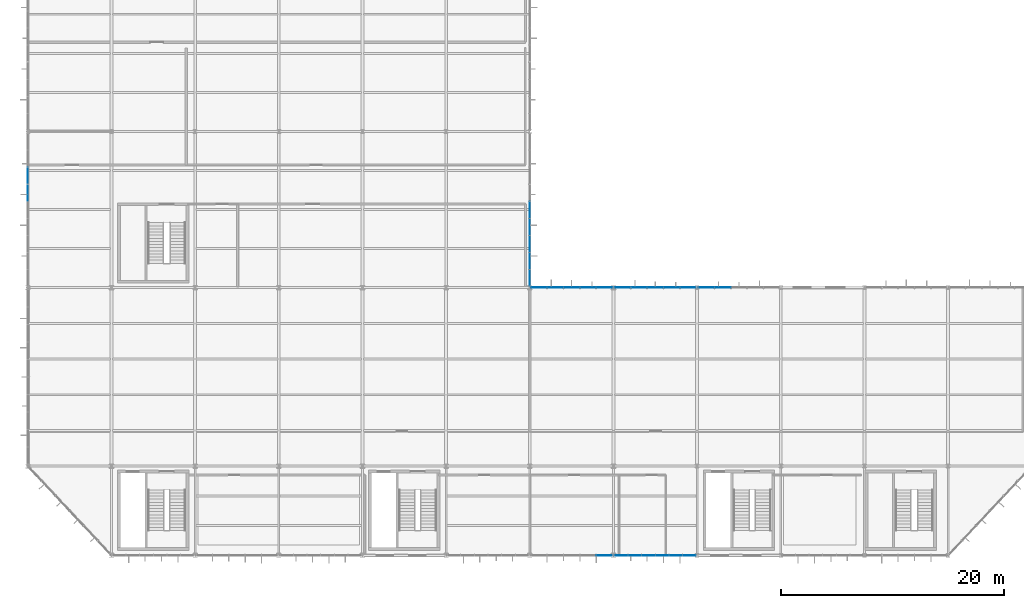
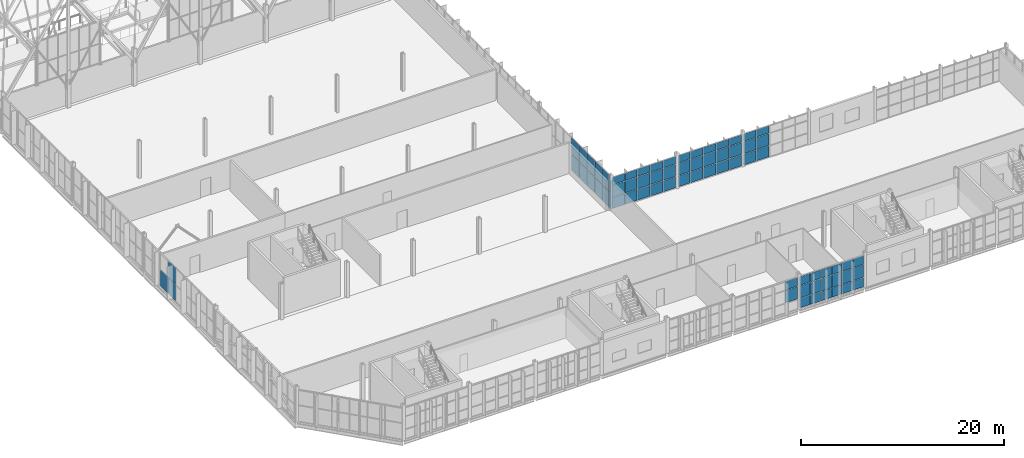
# One storey, part 267 of 324: 69 plates, 7 elements without a shape of their own.
"""IFC4 building model written with IfcOpenShell, lengths in metres."""

from ifc_helpers import new_model, si_unit, direction, frame, origin, origin_2d, place, context, subcontext, project, spatial, rectangle, extrude, material, layer, layer_set, type_object, element, aggregate, save


model = new_model("IFC4")

# Units and contexts
model_context = context("Model", 3, precision=1e-05, world=origin(), true_north=direction((0.0, 1.0)))
body_context = subcontext(model_context, "Body", "Model", "MODEL_VIEW")
ifc_project = project(units=[si_unit("LENGTHUNIT", "METRE"), si_unit("AREAUNIT", "SQUARE_METRE"), si_unit("VOLUMEUNIT", "CUBIC_METRE"), si_unit("PLANEANGLEUNIT", "RADIAN"), si_unit("MASSUNIT", "GRAM", prefix="KILO")], contexts=[model_context])

# Site, building, storey
site_placement = place(None, origin())
site = spatial("IfcSite", under=ifc_project, at=site_placement, CompositionType="ELEMENT")
building_placement = place(site_placement, origin())
building = spatial("IfcBuilding", under=site, at=building_placement, Name="Solvenia Promenade Tram Depot", CompositionType="ELEMENT")
storey_placement = place(building_placement, frame((0.0, 0.0, 4.5)))
storey = spatial("IfcBuildingStorey", under=building, at=storey_placement, Name="L01", CompositionType="ELEMENT", Elevation=4.5)

# Curtain wall, plates
ifc_material_1 = material(Name="Anodized aluminium AW-6063 T6", Category="aluminium")
ifc_layer_1 = layer(ifc_material_1, 0.1201171875, Name="Anodized aluminium AW-6063 T6", Category="aluminium")
ifc_layer_set_1 = layer_set([ifc_layer_1], Name="Anodized aluminium AW-6063 T6")
curtain_wall_type_1 = type_object("IfcCurtainWallType", Name="CW-Wash-1500", PredefinedType="NOTDEFINED", material=ifc_layer_set_1)
curtain_wall_1_placement = place(storey_placement, origin())
curtain_wall_1 = element("IfcCurtainWall", 1, at=curtain_wall_1_placement, inside=storey, type_object=curtain_wall_type_1, Name="Curtain Wall CW-V3-W-L1-1", PredefinedType="NOTDEFINED")
ifc_material_2 = material(Name="Low-iron translucent U-profile channel glass", Category="glass")
ifc_layer_2 = layer(ifc_material_2, 0.028076171875, Name="Low-iron translucent U-profile channel glass", Category="glass")
ifc_layer_set_2 = layer_set([ifc_layer_2], Name="Low-iron translucent U-profile channel glass")
plate_type_1 = type_object("IfcPlateType", Name="CWP-Panel-1", PredefinedType="CURTAIN_PANEL", material=ifc_layer_set_2)
plate_1_placement = place(storey_placement, frame((0.0, 32.501220703125, 0.06005859375), z_axis=(0.0, 0.0, 1.0), x_axis=(0.0, 1.0, 0.0)))
plate_1 = element("IfcPlate", 2, at=plate_1_placement, type_object=plate_type_1, Name="CW-10 panel 6.1", PredefinedType="CURTAIN_PANEL", context=body_context, shape_type="SweptSolid", body=[
    extrude(rectangle(XDim=1.47900390625, YDim=0.028076171875, at=origin_2d()), origin(), (0.0, 0.0, 1.0), 1.909912109375),
])
plate_2_placement = place(storey_placement, frame((0.0, 32.501220703125, 2.030029296875), z_axis=(0.0, 0.0, 1.0), x_axis=(0.0, 1.0, 0.0)))
plate_2 = element("IfcPlate", 3, at=plate_2_placement, type_object=plate_type_1, Name="CW-10 panel 6.2", PredefinedType="CURTAIN_PANEL", context=body_context, shape_type="SweptSolid", body=[
    extrude(rectangle(XDim=1.47900390625, YDim=0.028076171875, at=origin_2d()), origin(), (0.0, 0.0, 1.0), 1.9599609375),
])
plate_3_placement = place(storey_placement, frame((0.0, 34.0322265625, 0.06005859375), z_axis=(0.0, 0.0, 1.0), x_axis=(0.0, 1.0, 0.0)))
plate_3 = element("IfcPlate", 4, at=plate_3_placement, type_object=plate_type_1, Name="CW-10 panel 7.1", PredefinedType="CURTAIN_PANEL", context=body_context, shape_type="SweptSolid", body=[
    extrude(rectangle(XDim=1.47900390625, YDim=0.028076171875, at=origin_2d()), origin(), (0.0, 0.0, 1.0), 1.909912109375),
])
aggregate(curtain_wall_1, [plate_1, plate_2, plate_3])

curtain_wall_2_placement = place(storey_placement, origin())
curtain_wall_2 = element("IfcCurtainWall", 5, at=curtain_wall_2_placement, inside=storey, type_object=curtain_wall_type_1, Name="Curtain Wall CW-V3-E-L1-1", PredefinedType="NOTDEFINED")
plate_4_placement = place(storey_placement, frame((45.0, 24.858642578125, 0.06005859375), z_axis=(0.0, 0.0, 1.0), x_axis=(0.0, 1.0, 0.0)))
plate_4 = element("IfcPlate", 6, at=plate_4_placement, type_object=plate_type_1, Name="CW-10 panel 1.1", PredefinedType="CURTAIN_PANEL", context=body_context, shape_type="SweptSolid", body=[
    extrude(rectangle(XDim=1.453125, YDim=0.028076171875, at=origin_2d()), origin(), (0.0, 0.0, 1.0), 1.909912109375),
])
plate_5_placement = place(storey_placement, frame((45.0, 24.858642578125, 2.030029296875), z_axis=(0.0, 0.0, 1.0), x_axis=(0.0, 1.0, 0.0)))
plate_5 = element("IfcPlate", 7, at=plate_5_placement, type_object=plate_type_1, Name="CW-10 panel 1.2", PredefinedType="CURTAIN_PANEL", context=body_context, shape_type="SweptSolid", body=[
    extrude(rectangle(XDim=1.453125, YDim=0.028076171875, at=origin_2d()), origin(), (0.0, 0.0, 1.0), 1.9599609375),
])
plate_6_placement = place(storey_placement, frame((45.0, 26.376708984375, 0.06005859375), z_axis=(0.0, 0.0, 1.0), x_axis=(0.0, 1.0, 0.0)))
plate_6 = element("IfcPlate", 8, at=plate_6_placement, type_object=plate_type_1, Name="CW-10 panel 2.1", PredefinedType="CURTAIN_PANEL", context=body_context, shape_type="SweptSolid", body=[
    extrude(rectangle(XDim=1.47900390625, YDim=0.028076171875, at=origin_2d()), origin(), (0.0, 0.0, 1.0), 1.909912109375),
])
plate_7_placement = place(storey_placement, frame((45.0, 26.376708984375, 2.030029296875), z_axis=(0.0, 0.0, 1.0), x_axis=(0.0, 1.0, 0.0)))
plate_7 = element("IfcPlate", 9, at=plate_7_placement, type_object=plate_type_1, Name="CW-10 panel 2.2", PredefinedType="CURTAIN_PANEL", context=body_context, shape_type="SweptSolid", body=[
    extrude(rectangle(XDim=1.47900390625, YDim=0.028076171875, at=origin_2d()), origin(), (0.0, 0.0, 1.0), 1.9599609375),
])
plate_8_placement = place(storey_placement, frame((45.0, 27.90771484375, 0.06005859375), z_axis=(0.0, 0.0, 1.0), x_axis=(0.0, 1.0, 0.0)))
plate_8 = element("IfcPlate", 10, at=plate_8_placement, type_object=plate_type_1, Name="CW-10 panel 3.1", PredefinedType="CURTAIN_PANEL", context=body_context, shape_type="SweptSolid", body=[
    extrude(rectangle(XDim=1.47900390625, YDim=0.028076171875, at=origin_2d()), origin(), (0.0, 0.0, 1.0), 1.909912109375),
])
plate_9_placement = place(storey_placement, frame((45.0, 27.90771484375, 2.030029296875), z_axis=(0.0, 0.0, 1.0), x_axis=(0.0, 1.0, 0.0)))
plate_9 = element("IfcPlate", 11, at=plate_9_placement, type_object=plate_type_1, Name="CW-10 panel 3.2", PredefinedType="CURTAIN_PANEL", context=body_context, shape_type="SweptSolid", body=[
    extrude(rectangle(XDim=1.47900390625, YDim=0.028076171875, at=origin_2d()), origin(), (0.0, 0.0, 1.0), 1.9599609375),
])
plate_10_placement = place(storey_placement, frame((45.0, 29.43896484375, 0.06005859375), z_axis=(0.0, 0.0, 1.0), x_axis=(0.0, 1.0, 0.0)))
plate_10 = element("IfcPlate", 12, at=plate_10_placement, type_object=plate_type_1, Name="CW-10 panel 4.1", PredefinedType="CURTAIN_PANEL", context=body_context, shape_type="SweptSolid", body=[
    extrude(rectangle(XDim=1.47900390625, YDim=0.028076171875, at=origin_2d()), origin(), (0.0, 0.0, 1.0), 1.909912109375),
])
plate_11_placement = place(storey_placement, frame((45.0, 29.43896484375, 2.030029296875), z_axis=(0.0, 0.0, 1.0), x_axis=(0.0, 1.0, 0.0)))
plate_11 = element("IfcPlate", 13, at=plate_11_placement, type_object=plate_type_1, Name="CW-10 panel 4.2", PredefinedType="CURTAIN_PANEL", context=body_context, shape_type="SweptSolid", body=[
    extrude(rectangle(XDim=1.47900390625, YDim=0.028076171875, at=origin_2d()), origin(), (0.0, 0.0, 1.0), 1.9599609375),
])
plate_12_placement = place(storey_placement, frame((45.0, 30.969970703125, 0.06005859375), z_axis=(0.0, 0.0, 1.0), x_axis=(0.0, 1.0, 0.0)))
plate_12 = element("IfcPlate", 14, at=plate_12_placement, type_object=plate_type_1, Name="CW-10 panel 5.1", PredefinedType="CURTAIN_PANEL", context=body_context, shape_type="SweptSolid", body=[
    extrude(rectangle(XDim=1.47900390625, YDim=0.028076171875, at=origin_2d()), origin(), (0.0, 0.0, 1.0), 1.909912109375),
])
plate_13_placement = place(storey_placement, frame((45.0, 30.969970703125, 2.030029296875), z_axis=(0.0, 0.0, 1.0), x_axis=(0.0, 1.0, 0.0)))
plate_13 = element("IfcPlate", 15, at=plate_13_placement, type_object=plate_type_1, Name="CW-10 panel 5.2", PredefinedType="CURTAIN_PANEL", context=body_context, shape_type="SweptSolid", body=[
    extrude(rectangle(XDim=1.47900390625, YDim=0.028076171875, at=origin_2d()), origin(), (0.0, 0.0, 1.0), 1.9599609375),
])
aggregate(curtain_wall_2, [plate_4, plate_5, plate_6, plate_7, plate_8, plate_9, plate_10, plate_11, plate_12, plate_13])

ifc_layer_3 = layer(ifc_material_1, 0.14990234375, Name="Anodized aluminium AW-6063 T6", Category="aluminium")
ifc_layer_set_3 = layer_set([ifc_layer_3], Name="Anodized aluminium AW-6063 T6")
curtain_wall_type_2 = type_object("IfcCurtainWallType", Name="CW-Court-1500", PredefinedType="NOTDEFINED", material=ifc_layer_set_3)
curtain_wall_3_placement = place(storey_placement, origin())
curtain_wall_3 = element("IfcCurtainWall", 16, at=curtain_wall_3_placement, inside=storey, type_object=curtain_wall_type_2, Name="Curtain Wall CW-V4N-L01-07", PredefinedType="NOTDEFINED")
ifc_material_3 = material(Name="Double low-e argon insulated glass", Category="glass")
ifc_layer_4 = layer(ifc_material_3, 0.031982421875, Name="Double low-e argon insulated glass", Category="glass")
ifc_layer_set_4 = layer_set([ifc_layer_4], Name="Double low-e argon insulated glass")
plate_type_2 = type_object("IfcPlateType", Name="CWP-Panel-2", PredefinedType="CURTAIN_PANEL", material=ifc_layer_set_4)
plate_14_placement = place(storey_placement, frame((45.826416015625, 24.0, 0.06494140625), z_axis=(0.0, 0.0, 1.0), x_axis=(1.0, 0.0, 0.0)))
plate_14 = element("IfcPlate", 17, at=plate_14_placement, type_object=plate_type_2, Name="CW-5 panel 1.1", PredefinedType="CURTAIN_PANEL", context=body_context, shape_type="SweptSolid", body=[
    extrude(rectangle(XDim=1.39306640625, YDim=0.031982421875, at=origin_2d()), origin(), (0.0, 0.0, 1.0), 1.302490234375),
])
plate_15_placement = place(storey_placement, frame((45.826416015625, 24.0, 1.432373046875), z_axis=(0.0, 0.0, 1.0), x_axis=(1.0, 0.0, 0.0)))
plate_15 = element("IfcPlate", 18, at=plate_15_placement, type_object=plate_type_2, Name="CW-5 panel 1.2", PredefinedType="CURTAIN_PANEL", context=body_context, shape_type="SweptSolid", body=[
    extrude(rectangle(XDim=1.39306640625, YDim=0.031982421875, at=origin_2d()), origin(), (0.0, 0.0, 1.0), 1.43505859375),
])
plate_16_placement = place(storey_placement, frame((45.826416015625, 24.0, 2.932373046875), z_axis=(0.0, 0.0, 1.0), x_axis=(1.0, 0.0, 0.0)))
plate_16 = element("IfcPlate", 19, at=plate_16_placement, type_object=plate_type_2, Name="CW-5 panel 1.3", PredefinedType="CURTAIN_PANEL", context=body_context, shape_type="SweptSolid", body=[
    extrude(rectangle(XDim=1.39306640625, YDim=0.031982421875, at=origin_2d()), origin(), (0.0, 0.0, 1.0), 0.8525390625),
])
plate_17_placement = place(storey_placement, frame((47.281982421875, 24.0, 0.06494140625), z_axis=(0.0, 0.0, 1.0), x_axis=(1.0, 0.0, 0.0)))
plate_17 = element("IfcPlate", 20, at=plate_17_placement, type_object=plate_type_2, Name="CW-5 panel 2.1", PredefinedType="CURTAIN_PANEL", context=body_context, shape_type="SweptSolid", body=[
    extrude(rectangle(XDim=1.41796875, YDim=0.031982421875, at=origin_2d()), origin(), (0.0, 0.0, 1.0), 1.302490234375),
])
plate_18_placement = place(storey_placement, frame((47.281982421875, 24.0, 1.432373046875), z_axis=(0.0, 0.0, 1.0), x_axis=(1.0, 0.0, 0.0)))
plate_18 = element("IfcPlate", 21, at=plate_18_placement, type_object=plate_type_2, Name="CW-5 panel 2.2", PredefinedType="CURTAIN_PANEL", context=body_context, shape_type="SweptSolid", body=[
    extrude(rectangle(XDim=1.41796875, YDim=0.031982421875, at=origin_2d()), origin(), (0.0, 0.0, 1.0), 1.43505859375),
])
plate_19_placement = place(storey_placement, frame((47.281982421875, 24.0, 2.932373046875), z_axis=(0.0, 0.0, 1.0), x_axis=(1.0, 0.0, 0.0)))
plate_19 = element("IfcPlate", 22, at=plate_19_placement, type_object=plate_type_2, Name="CW-5 panel 2.3", PredefinedType="CURTAIN_PANEL", context=body_context, shape_type="SweptSolid", body=[
    extrude(rectangle(XDim=1.41796875, YDim=0.031982421875, at=origin_2d()), origin(), (0.0, 0.0, 1.0), 0.8525390625),
])
plate_20_placement = place(storey_placement, frame((48.75, 24.0, 0.06494140625), z_axis=(0.0, 0.0, 1.0), x_axis=(1.0, 0.0, 0.0)))
plate_20 = element("IfcPlate", 23, at=plate_20_placement, type_object=plate_type_2, Name="CW-5 panel 3.1", PredefinedType="CURTAIN_PANEL", context=body_context, shape_type="SweptSolid", body=[
    extrude(rectangle(XDim=1.41796875, YDim=0.031982421875, at=origin_2d()), origin(), (0.0, 0.0, 1.0), 1.302490234375),
])
plate_21_placement = place(storey_placement, frame((48.75, 24.0, 1.432373046875), z_axis=(0.0, 0.0, 1.0), x_axis=(1.0, 0.0, 0.0)))
plate_21 = element("IfcPlate", 24, at=plate_21_placement, type_object=plate_type_2, Name="CW-5 panel 3.2", PredefinedType="CURTAIN_PANEL", context=body_context, shape_type="SweptSolid", body=[
    extrude(rectangle(XDim=1.41796875, YDim=0.031982421875, at=origin_2d()), origin(), (0.0, 0.0, 1.0), 1.43505859375),
])
plate_22_placement = place(storey_placement, frame((48.75, 24.0, 2.932373046875), z_axis=(0.0, 0.0, 1.0), x_axis=(1.0, 0.0, 0.0)))
plate_22 = element("IfcPlate", 25, at=plate_22_placement, type_object=plate_type_2, Name="CW-5 panel 3.3", PredefinedType="CURTAIN_PANEL", context=body_context, shape_type="SweptSolid", body=[
    extrude(rectangle(XDim=1.41796875, YDim=0.031982421875, at=origin_2d()), origin(), (0.0, 0.0, 1.0), 0.8525390625),
])
plate_23_placement = place(storey_placement, frame((50.218017578125, 24.0, 0.06494140625), z_axis=(0.0, 0.0, 1.0), x_axis=(1.0, 0.0, 0.0)))
plate_23 = element("IfcPlate", 26, at=plate_23_placement, type_object=plate_type_2, Name="CW-5 panel 4.1", PredefinedType="CURTAIN_PANEL", context=body_context, shape_type="SweptSolid", body=[
    extrude(rectangle(XDim=1.41796875, YDim=0.031982421875, at=origin_2d()), origin(), (0.0, 0.0, 1.0), 1.302490234375),
])
plate_24_placement = place(storey_placement, frame((50.218017578125, 24.0, 1.432373046875), z_axis=(0.0, 0.0, 1.0), x_axis=(1.0, 0.0, 0.0)))
plate_24 = element("IfcPlate", 27, at=plate_24_placement, type_object=plate_type_2, Name="CW-5 panel 4.2", PredefinedType="CURTAIN_PANEL", context=body_context, shape_type="SweptSolid", body=[
    extrude(rectangle(XDim=1.41796875, YDim=0.031982421875, at=origin_2d()), origin(), (0.0, 0.0, 1.0), 1.43505859375),
])
plate_25_placement = place(storey_placement, frame((50.218017578125, 24.0, 2.932373046875), z_axis=(0.0, 0.0, 1.0), x_axis=(1.0, 0.0, 0.0)))
plate_25 = element("IfcPlate", 28, at=plate_25_placement, type_object=plate_type_2, Name="CW-5 panel 4.3", PredefinedType="CURTAIN_PANEL", context=body_context, shape_type="SweptSolid", body=[
    extrude(rectangle(XDim=1.41796875, YDim=0.031982421875, at=origin_2d()), origin(), (0.0, 0.0, 1.0), 0.8525390625),
])
plate_26_placement = place(storey_placement, frame((51.673583984375, 24.0, 0.06494140625), z_axis=(0.0, 0.0, 1.0), x_axis=(1.0, 0.0, 0.0)))
plate_26 = element("IfcPlate", 29, at=plate_26_placement, type_object=plate_type_2, Name="CW-5 panel 5.1", PredefinedType="CURTAIN_PANEL", context=body_context, shape_type="SweptSolid", body=[
    extrude(rectangle(XDim=1.39306640625, YDim=0.031982421875, at=origin_2d()), origin(), (0.0, 0.0, 1.0), 1.302490234375),
])
plate_27_placement = place(storey_placement, frame((51.673583984375, 24.0, 1.432373046875), z_axis=(0.0, 0.0, 1.0), x_axis=(1.0, 0.0, 0.0)))
plate_27 = element("IfcPlate", 30, at=plate_27_placement, type_object=plate_type_2, Name="CW-5 panel 5.2", PredefinedType="CURTAIN_PANEL", context=body_context, shape_type="SweptSolid", body=[
    extrude(rectangle(XDim=1.39306640625, YDim=0.031982421875, at=origin_2d()), origin(), (0.0, 0.0, 1.0), 1.43505859375),
])
plate_28_placement = place(storey_placement, frame((51.673583984375, 24.0, 2.932373046875), z_axis=(0.0, 0.0, 1.0), x_axis=(1.0, 0.0, 0.0)))
plate_28 = element("IfcPlate", 31, at=plate_28_placement, type_object=plate_type_2, Name="CW-5 panel 5.3", PredefinedType="CURTAIN_PANEL", context=body_context, shape_type="SweptSolid", body=[
    extrude(rectangle(XDim=1.39306640625, YDim=0.031982421875, at=origin_2d()), origin(), (0.0, 0.0, 1.0), 0.8525390625),
])
aggregate(curtain_wall_3, [plate_14, plate_15, plate_16, plate_17, plate_18, plate_19, plate_20, plate_21, plate_22, plate_23, plate_24, plate_25, plate_26, plate_27, plate_28])

curtain_wall_4_placement = place(storey_placement, origin())
curtain_wall_4 = element("IfcCurtainWall", 32, at=curtain_wall_4_placement, inside=storey, type_object=curtain_wall_type_2, Name="Curtain Wall CW-V4N-L01-08", PredefinedType="NOTDEFINED")
plate_29_placement = place(storey_placement, frame((53.326416015625, 24.0, 0.06494140625), z_axis=(0.0, 0.0, 1.0), x_axis=(1.0, 0.0, 0.0)))
plate_29 = element("IfcPlate", 33, at=plate_29_placement, type_object=plate_type_2, Name="CW-5 panel 1.1", PredefinedType="CURTAIN_PANEL", context=body_context, shape_type="SweptSolid", body=[
    extrude(rectangle(XDim=1.39306640625, YDim=0.031982421875, at=origin_2d()), origin(), (0.0, 0.0, 1.0), 1.302490234375),
])
plate_30_placement = place(storey_placement, frame((53.326416015625, 24.0, 1.432373046875), z_axis=(0.0, 0.0, 1.0), x_axis=(1.0, 0.0, 0.0)))
plate_30 = element("IfcPlate", 34, at=plate_30_placement, type_object=plate_type_2, Name="CW-5 panel 1.2", PredefinedType="CURTAIN_PANEL", context=body_context, shape_type="SweptSolid", body=[
    extrude(rectangle(XDim=1.39306640625, YDim=0.031982421875, at=origin_2d()), origin(), (0.0, 0.0, 1.0), 1.43505859375),
])
plate_31_placement = place(storey_placement, frame((53.326416015625, 24.0, 2.932373046875), z_axis=(0.0, 0.0, 1.0), x_axis=(1.0, 0.0, 0.0)))
plate_31 = element("IfcPlate", 35, at=plate_31_placement, type_object=plate_type_2, Name="CW-5 panel 1.3", PredefinedType="CURTAIN_PANEL", context=body_context, shape_type="SweptSolid", body=[
    extrude(rectangle(XDim=1.39306640625, YDim=0.031982421875, at=origin_2d()), origin(), (0.0, 0.0, 1.0), 0.8525390625),
])
plate_32_placement = place(storey_placement, frame((54.781982421875, 24.0, 0.06494140625), z_axis=(0.0, 0.0, 1.0), x_axis=(1.0, 0.0, 0.0)))
plate_32 = element("IfcPlate", 36, at=plate_32_placement, type_object=plate_type_2, Name="CW-5 panel 2.1", PredefinedType="CURTAIN_PANEL", context=body_context, shape_type="SweptSolid", body=[
    extrude(rectangle(XDim=1.41796875, YDim=0.031982421875, at=origin_2d()), origin(), (0.0, 0.0, 1.0), 1.302490234375),
])
plate_33_placement = place(storey_placement, frame((54.781982421875, 24.0, 1.432373046875), z_axis=(0.0, 0.0, 1.0), x_axis=(1.0, 0.0, 0.0)))
plate_33 = element("IfcPlate", 37, at=plate_33_placement, type_object=plate_type_2, Name="CW-5 panel 2.2", PredefinedType="CURTAIN_PANEL", context=body_context, shape_type="SweptSolid", body=[
    extrude(rectangle(XDim=1.41796875, YDim=0.031982421875, at=origin_2d()), origin(), (0.0, 0.0, 1.0), 1.43505859375),
])
plate_34_placement = place(storey_placement, frame((54.781982421875, 24.0, 2.932373046875), z_axis=(0.0, 0.0, 1.0), x_axis=(1.0, 0.0, 0.0)))
plate_34 = element("IfcPlate", 38, at=plate_34_placement, type_object=plate_type_2, Name="CW-5 panel 2.3", PredefinedType="CURTAIN_PANEL", context=body_context, shape_type="SweptSolid", body=[
    extrude(rectangle(XDim=1.41796875, YDim=0.031982421875, at=origin_2d()), origin(), (0.0, 0.0, 1.0), 0.8525390625),
])
plate_35_placement = place(storey_placement, frame((56.25, 24.0, 0.06494140625), z_axis=(0.0, 0.0, 1.0), x_axis=(1.0, 0.0, 0.0)))
plate_35 = element("IfcPlate", 39, at=plate_35_placement, type_object=plate_type_2, Name="CW-5 panel 3.1", PredefinedType="CURTAIN_PANEL", context=body_context, shape_type="SweptSolid", body=[
    extrude(rectangle(XDim=1.41796875, YDim=0.031982421875, at=origin_2d()), origin(), (0.0, 0.0, 1.0), 1.302490234375),
])
plate_36_placement = place(storey_placement, frame((56.25, 24.0, 1.432373046875), z_axis=(0.0, 0.0, 1.0), x_axis=(1.0, 0.0, 0.0)))
plate_36 = element("IfcPlate", 40, at=plate_36_placement, type_object=plate_type_2, Name="CW-5 panel 3.2", PredefinedType="CURTAIN_PANEL", context=body_context, shape_type="SweptSolid", body=[
    extrude(rectangle(XDim=1.41796875, YDim=0.031982421875, at=origin_2d()), origin(), (0.0, 0.0, 1.0), 1.43505859375),
])
plate_37_placement = place(storey_placement, frame((56.25, 24.0, 2.932373046875), z_axis=(0.0, 0.0, 1.0), x_axis=(1.0, 0.0, 0.0)))
plate_37 = element("IfcPlate", 41, at=plate_37_placement, type_object=plate_type_2, Name="CW-5 panel 3.3", PredefinedType="CURTAIN_PANEL", context=body_context, shape_type="SweptSolid", body=[
    extrude(rectangle(XDim=1.41796875, YDim=0.031982421875, at=origin_2d()), origin(), (0.0, 0.0, 1.0), 0.8525390625),
])
plate_38_placement = place(storey_placement, frame((57.718017578125, 24.0, 0.06494140625), z_axis=(0.0, 0.0, 1.0), x_axis=(1.0, 0.0, 0.0)))
plate_38 = element("IfcPlate", 42, at=plate_38_placement, type_object=plate_type_2, Name="CW-5 panel 4.1", PredefinedType="CURTAIN_PANEL", context=body_context, shape_type="SweptSolid", body=[
    extrude(rectangle(XDim=1.41796875, YDim=0.031982421875, at=origin_2d()), origin(), (0.0, 0.0, 1.0), 1.302490234375),
])
plate_39_placement = place(storey_placement, frame((57.718017578125, 24.0, 1.432373046875), z_axis=(0.0, 0.0, 1.0), x_axis=(1.0, 0.0, 0.0)))
plate_39 = element("IfcPlate", 43, at=plate_39_placement, type_object=plate_type_2, Name="CW-5 panel 4.2", PredefinedType="CURTAIN_PANEL", context=body_context, shape_type="SweptSolid", body=[
    extrude(rectangle(XDim=1.41796875, YDim=0.031982421875, at=origin_2d()), origin(), (0.0, 0.0, 1.0), 1.43505859375),
])
plate_40_placement = place(storey_placement, frame((57.718017578125, 24.0, 2.932373046875), z_axis=(0.0, 0.0, 1.0), x_axis=(1.0, 0.0, 0.0)))
plate_40 = element("IfcPlate", 44, at=plate_40_placement, type_object=plate_type_2, Name="CW-5 panel 4.3", PredefinedType="CURTAIN_PANEL", context=body_context, shape_type="SweptSolid", body=[
    extrude(rectangle(XDim=1.41796875, YDim=0.031982421875, at=origin_2d()), origin(), (0.0, 0.0, 1.0), 0.8525390625),
])
plate_41_placement = place(storey_placement, frame((59.173583984375, 24.0, 0.06494140625), z_axis=(0.0, 0.0, 1.0), x_axis=(1.0, 0.0, 0.0)))
plate_41 = element("IfcPlate", 45, at=plate_41_placement, type_object=plate_type_2, Name="CW-5 panel 5.1", PredefinedType="CURTAIN_PANEL", context=body_context, shape_type="SweptSolid", body=[
    extrude(rectangle(XDim=1.39306640625, YDim=0.031982421875, at=origin_2d()), origin(), (0.0, 0.0, 1.0), 1.302490234375),
])
plate_42_placement = place(storey_placement, frame((59.173583984375, 24.0, 1.432373046875), z_axis=(0.0, 0.0, 1.0), x_axis=(1.0, 0.0, 0.0)))
plate_42 = element("IfcPlate", 46, at=plate_42_placement, type_object=plate_type_2, Name="CW-5 panel 5.2", PredefinedType="CURTAIN_PANEL", context=body_context, shape_type="SweptSolid", body=[
    extrude(rectangle(XDim=1.39306640625, YDim=0.031982421875, at=origin_2d()), origin(), (0.0, 0.0, 1.0), 1.43505859375),
])
plate_43_placement = place(storey_placement, frame((59.173583984375, 24.0, 2.932373046875), z_axis=(0.0, 0.0, 1.0), x_axis=(1.0, 0.0, 0.0)))
plate_43 = element("IfcPlate", 47, at=plate_43_placement, type_object=plate_type_2, Name="CW-5 panel 5.3", PredefinedType="CURTAIN_PANEL", context=body_context, shape_type="SweptSolid", body=[
    extrude(rectangle(XDim=1.39306640625, YDim=0.031982421875, at=origin_2d()), origin(), (0.0, 0.0, 1.0), 0.8525390625),
])
aggregate(curtain_wall_4, [plate_29, plate_30, plate_31, plate_32, plate_33, plate_34, plate_35, plate_36, plate_37, plate_38, plate_39, plate_40, plate_41, plate_42, plate_43])

curtain_wall_5_placement = place(storey_placement, origin())
curtain_wall_5 = element("IfcCurtainWall", 48, at=curtain_wall_5_placement, inside=storey, type_object=curtain_wall_type_2, Name="Curtain Wall CW-V4N-L01-09", PredefinedType="NOTDEFINED")
plate_44_placement = place(storey_placement, frame((60.826416015625, 24.0, 0.06494140625), z_axis=(0.0, 0.0, 1.0), x_axis=(1.0, 0.0, 0.0)))
plate_44 = element("IfcPlate", 49, at=plate_44_placement, type_object=plate_type_2, Name="CW-5 panel 1.1", PredefinedType="CURTAIN_PANEL", context=body_context, shape_type="SweptSolid", body=[
    extrude(rectangle(XDim=1.39306640625, YDim=0.031982421875, at=origin_2d()), origin(), (0.0, 0.0, 1.0), 1.302490234375),
])
plate_45_placement = place(storey_placement, frame((60.826416015625, 24.0, 1.432373046875), z_axis=(0.0, 0.0, 1.0), x_axis=(1.0, 0.0, 0.0)))
plate_45 = element("IfcPlate", 50, at=plate_45_placement, type_object=plate_type_2, Name="CW-5 panel 1.2", PredefinedType="CURTAIN_PANEL", context=body_context, shape_type="SweptSolid", body=[
    extrude(rectangle(XDim=1.39306640625, YDim=0.031982421875, at=origin_2d()), origin(), (0.0, 0.0, 1.0), 1.43505859375),
])
plate_46_placement = place(storey_placement, frame((60.826416015625, 24.0, 2.932373046875), z_axis=(0.0, 0.0, 1.0), x_axis=(1.0, 0.0, 0.0)))
plate_46 = element("IfcPlate", 51, at=plate_46_placement, type_object=plate_type_2, Name="CW-5 panel 1.3", PredefinedType="CURTAIN_PANEL", context=body_context, shape_type="SweptSolid", body=[
    extrude(rectangle(XDim=1.39306640625, YDim=0.031982421875, at=origin_2d()), origin(), (0.0, 0.0, 1.0), 0.8525390625),
])
plate_47_placement = place(storey_placement, frame((62.281982421875, 24.0, 0.06494140625), z_axis=(0.0, 0.0, 1.0), x_axis=(1.0, 0.0, 0.0)))
plate_47 = element("IfcPlate", 52, at=plate_47_placement, type_object=plate_type_2, Name="CW-5 panel 2.1", PredefinedType="CURTAIN_PANEL", context=body_context, shape_type="SweptSolid", body=[
    extrude(rectangle(XDim=1.41796875, YDim=0.031982421875, at=origin_2d()), origin(), (0.0, 0.0, 1.0), 1.302490234375),
])
plate_48_placement = place(storey_placement, frame((62.281982421875, 24.0, 1.432373046875), z_axis=(0.0, 0.0, 1.0), x_axis=(1.0, 0.0, 0.0)))
plate_48 = element("IfcPlate", 53, at=plate_48_placement, type_object=plate_type_2, Name="CW-5 panel 2.2", PredefinedType="CURTAIN_PANEL", context=body_context, shape_type="SweptSolid", body=[
    extrude(rectangle(XDim=1.41796875, YDim=0.031982421875, at=origin_2d()), origin(), (0.0, 0.0, 1.0), 1.43505859375),
])
plate_49_placement = place(storey_placement, frame((62.281982421875, 24.0, 2.932373046875), z_axis=(0.0, 0.0, 1.0), x_axis=(1.0, 0.0, 0.0)))
plate_49 = element("IfcPlate", 54, at=plate_49_placement, type_object=plate_type_2, Name="CW-5 panel 2.3", PredefinedType="CURTAIN_PANEL", context=body_context, shape_type="SweptSolid", body=[
    extrude(rectangle(XDim=1.41796875, YDim=0.031982421875, at=origin_2d()), origin(), (0.0, 0.0, 1.0), 0.8525390625),
])
aggregate(curtain_wall_5, [plate_44, plate_45, plate_46, plate_47, plate_48, plate_49])

ifc_layer_5 = layer(ifc_material_1, 0.179931640625, Name="Anodized aluminium AW-6063 T6", Category="aluminium")
ifc_layer_set_5 = layer_set([ifc_layer_5], Name="Anodized aluminium AW-6063 T6")
curtain_wall_type_3 = type_object("IfcCurtainWallType", Name="CW-Solar-1500", PredefinedType="NOTDEFINED", material=ifc_layer_set_5)
curtain_wall_6_placement = place(storey_placement, origin())
curtain_wall_6 = element("IfcCurtainWall", 55, at=curtain_wall_6_placement, inside=storey, type_object=curtain_wall_type_3, Name="Curtain Wall CW-V4S-L01-06", PredefinedType="NOTDEFINED")
ifc_layer_6 = layer(ifc_material_3, 0.035888671875, Name="Double low-e argon insulated glass", Category="glass")
ifc_layer_set_6 = layer_set([ifc_layer_6], Name="Double low-e argon insulated glass")
plate_type_3 = type_object("IfcPlateType", Name="CWP-Panel-3", PredefinedType="CURTAIN_PANEL", material=ifc_layer_set_6)
plate_50_placement = place(storey_placement, frame((51.674072265625, 0.0, 1.22900390625), z_axis=(0.0, 0.0, 1.0), x_axis=(1.0, 0.0, 0.0)))
plate_50 = element("IfcPlate", 56, at=plate_50_placement, type_object=plate_type_3, Name="CW-7 panel 5.2", PredefinedType="CURTAIN_PANEL", context=body_context, shape_type="SweptSolid", body=[
    extrude(rectangle(XDim=1.39599609375, YDim=0.035888671875, at=origin_2d()), origin(), (0.0, 0.0, 1.0), 1.491943359375),
])
plate_51_placement = place(storey_placement, frame((51.674072265625, 0.0, 2.77880859375), z_axis=(0.0, 0.0, 1.0), x_axis=(1.0, 0.0, 0.0)))
plate_51 = element("IfcPlate", 57, at=plate_51_placement, type_object=plate_type_3, Name="CW-7 panel 5.3", PredefinedType="CURTAIN_PANEL", context=body_context, shape_type="SweptSolid", body=[
    extrude(rectangle(XDim=1.39599609375, YDim=0.035888671875, at=origin_2d()), origin(), (0.0, 0.0, 1.0), 1.012939453125),
])
aggregate(curtain_wall_6, [plate_50, plate_51])

ifc_layer_7 = layer(ifc_material_1, 0.179931640625, Name="Anodized aluminium AW-6063 T6", Category="aluminium")
ifc_layer_set_7 = layer_set([ifc_layer_7], Name="Anodized aluminium AW-6063 T6")
curtain_wall_type_4 = type_object("IfcCurtainWallType", Name="CW-Solar-1250", PredefinedType="NOTDEFINED", material=ifc_layer_set_7)
curtain_wall_7_placement = place(storey_placement, origin())
curtain_wall_7 = element("IfcCurtainWall", 58, at=curtain_wall_7_placement, inside=storey, type_object=curtain_wall_type_4, Name="Curtain Wall CW-V4S-L01-07", PredefinedType="NOTDEFINED")
plate_52_placement = place(storey_placement, frame((53.20361328125, 0.0, 0.05810546875), z_axis=(0.0, 0.0, 1.0), x_axis=(1.0, 0.0, 0.0)))
plate_52 = element("IfcPlate", 59, at=plate_52_placement, type_object=plate_type_3, Name="CW-6 panel 1.1", PredefinedType="CURTAIN_PANEL", context=body_context, shape_type="SweptSolid", body=[
    extrude(rectangle(XDim=1.1513671875, YDim=0.035888671875, at=origin_2d()), origin(), (0.0, 0.0, 1.0), 1.113037109375),
])
plate_53_placement = place(storey_placement, frame((53.20361328125, 0.0, 1.22900390625), z_axis=(0.0, 0.0, 1.0), x_axis=(1.0, 0.0, 0.0)))
plate_53 = element("IfcPlate", 60, at=plate_53_placement, type_object=plate_type_3, Name="CW-6 panel 1.2", PredefinedType="CURTAIN_PANEL", context=body_context, shape_type="SweptSolid", body=[
    extrude(rectangle(XDim=1.1513671875, YDim=0.035888671875, at=origin_2d()), origin(), (0.0, 0.0, 1.0), 1.491943359375),
])
plate_54_placement = place(storey_placement, frame((53.20361328125, 0.0, 2.77880859375), z_axis=(0.0, 0.0, 1.0), x_axis=(1.0, 0.0, 0.0)))
plate_54 = element("IfcPlate", 61, at=plate_54_placement, type_object=plate_type_3, Name="CW-6 panel 1.3", PredefinedType="CURTAIN_PANEL", context=body_context, shape_type="SweptSolid", body=[
    extrude(rectangle(XDim=1.1513671875, YDim=0.035888671875, at=origin_2d()), origin(), (0.0, 0.0, 1.0), 1.012939453125),
])
plate_55_placement = place(storey_placement, frame((54.4150390625, 0.0, 0.05810546875), z_axis=(0.0, 0.0, 1.0), x_axis=(1.0, 0.0, 0.0)))
plate_55 = element("IfcPlate", 62, at=plate_55_placement, type_object=plate_type_3, Name="CW-6 panel 2.1", PredefinedType="CURTAIN_PANEL", context=body_context, shape_type="SweptSolid", body=[
    extrude(rectangle(XDim=1.17529296875, YDim=0.035888671875, at=origin_2d()), origin(), (0.0, 0.0, 1.0), 1.113037109375),
])
plate_56_placement = place(storey_placement, frame((54.4150390625, 0.0, 1.22900390625), z_axis=(0.0, 0.0, 1.0), x_axis=(1.0, 0.0, 0.0)))
plate_56 = element("IfcPlate", 63, at=plate_56_placement, type_object=plate_type_3, Name="CW-6 panel 2.2", PredefinedType="CURTAIN_PANEL", context=body_context, shape_type="SweptSolid", body=[
    extrude(rectangle(XDim=1.17529296875, YDim=0.035888671875, at=origin_2d()), origin(), (0.0, 0.0, 1.0), 1.491943359375),
])
plate_57_placement = place(storey_placement, frame((54.4150390625, 0.0, 2.77880859375), z_axis=(0.0, 0.0, 1.0), x_axis=(1.0, 0.0, 0.0)))
plate_57 = element("IfcPlate", 64, at=plate_57_placement, type_object=plate_type_3, Name="CW-6 panel 2.3", PredefinedType="CURTAIN_PANEL", context=body_context, shape_type="SweptSolid", body=[
    extrude(rectangle(XDim=1.17529296875, YDim=0.035888671875, at=origin_2d()), origin(), (0.0, 0.0, 1.0), 1.012939453125),
])
plate_58_placement = place(storey_placement, frame((55.638427734375, 0.0, 0.05810546875), z_axis=(0.0, 0.0, 1.0), x_axis=(1.0, 0.0, 0.0)))
plate_58 = element("IfcPlate", 65, at=plate_58_placement, type_object=plate_type_3, Name="CW-6 panel 3.1", PredefinedType="CURTAIN_PANEL", context=body_context, shape_type="SweptSolid", body=[
    extrude(rectangle(XDim=1.17529296875, YDim=0.035888671875, at=origin_2d()), origin(), (0.0, 0.0, 1.0), 1.113037109375),
])
plate_59_placement = place(storey_placement, frame((55.638427734375, 0.0, 1.22900390625), z_axis=(0.0, 0.0, 1.0), x_axis=(1.0, 0.0, 0.0)))
plate_59 = element("IfcPlate", 66, at=plate_59_placement, type_object=plate_type_3, Name="CW-6 panel 3.2", PredefinedType="CURTAIN_PANEL", context=body_context, shape_type="SweptSolid", body=[
    extrude(rectangle(XDim=1.17529296875, YDim=0.035888671875, at=origin_2d()), origin(), (0.0, 0.0, 1.0), 1.491943359375),
])
plate_60_placement = place(storey_placement, frame((55.638427734375, 0.0, 2.77880859375), z_axis=(0.0, 0.0, 1.0), x_axis=(1.0, 0.0, 0.0)))
plate_60 = element("IfcPlate", 67, at=plate_60_placement, type_object=plate_type_3, Name="CW-6 panel 3.3", PredefinedType="CURTAIN_PANEL", context=body_context, shape_type="SweptSolid", body=[
    extrude(rectangle(XDim=1.17529296875, YDim=0.035888671875, at=origin_2d()), origin(), (0.0, 0.0, 1.0), 1.012939453125),
])
plate_61_placement = place(storey_placement, frame((56.861572265625, 0.0, 0.05810546875), z_axis=(0.0, 0.0, 1.0), x_axis=(1.0, 0.0, 0.0)))
plate_61 = element("IfcPlate", 68, at=plate_61_placement, type_object=plate_type_3, Name="CW-6 panel 4.1", PredefinedType="CURTAIN_PANEL", context=body_context, shape_type="SweptSolid", body=[
    extrude(rectangle(XDim=1.17529296875, YDim=0.035888671875, at=origin_2d()), origin(), (0.0, 0.0, 1.0), 1.113037109375),
])
plate_62_placement = place(storey_placement, frame((56.861572265625, 0.0, 1.22900390625), z_axis=(0.0, 0.0, 1.0), x_axis=(1.0, 0.0, 0.0)))
plate_62 = element("IfcPlate", 69, at=plate_62_placement, type_object=plate_type_3, Name="CW-6 panel 4.2", PredefinedType="CURTAIN_PANEL", context=body_context, shape_type="SweptSolid", body=[
    extrude(rectangle(XDim=1.17529296875, YDim=0.035888671875, at=origin_2d()), origin(), (0.0, 0.0, 1.0), 1.491943359375),
])
plate_63_placement = place(storey_placement, frame((56.861572265625, 0.0, 2.77880859375), z_axis=(0.0, 0.0, 1.0), x_axis=(1.0, 0.0, 0.0)))
plate_63 = element("IfcPlate", 70, at=plate_63_placement, type_object=plate_type_3, Name="CW-6 panel 4.3", PredefinedType="CURTAIN_PANEL", context=body_context, shape_type="SweptSolid", body=[
    extrude(rectangle(XDim=1.17529296875, YDim=0.035888671875, at=origin_2d()), origin(), (0.0, 0.0, 1.0), 1.012939453125),
])
plate_64_placement = place(storey_placement, frame((58.0849609375, 0.0, 0.05810546875), z_axis=(0.0, 0.0, 1.0), x_axis=(1.0, 0.0, 0.0)))
plate_64 = element("IfcPlate", 71, at=plate_64_placement, type_object=plate_type_3, Name="CW-6 panel 5.1", PredefinedType="CURTAIN_PANEL", context=body_context, shape_type="SweptSolid", body=[
    extrude(rectangle(XDim=1.17529296875, YDim=0.035888671875, at=origin_2d()), origin(), (0.0, 0.0, 1.0), 1.113037109375),
])
plate_65_placement = place(storey_placement, frame((58.0849609375, 0.0, 1.22900390625), z_axis=(0.0, 0.0, 1.0), x_axis=(1.0, 0.0, 0.0)))
plate_65 = element("IfcPlate", 72, at=plate_65_placement, type_object=plate_type_3, Name="CW-6 panel 5.2", PredefinedType="CURTAIN_PANEL", context=body_context, shape_type="SweptSolid", body=[
    extrude(rectangle(XDim=1.17529296875, YDim=0.035888671875, at=origin_2d()), origin(), (0.0, 0.0, 1.0), 1.491943359375),
])
plate_66_placement = place(storey_placement, frame((58.0849609375, 0.0, 2.77880859375), z_axis=(0.0, 0.0, 1.0), x_axis=(1.0, 0.0, 0.0)))
plate_66 = element("IfcPlate", 73, at=plate_66_placement, type_object=plate_type_3, Name="CW-6 panel 5.3", PredefinedType="CURTAIN_PANEL", context=body_context, shape_type="SweptSolid", body=[
    extrude(rectangle(XDim=1.17529296875, YDim=0.035888671875, at=origin_2d()), origin(), (0.0, 0.0, 1.0), 1.012939453125),
])
plate_67_placement = place(storey_placement, frame((59.29638671875, 0.0, 0.05810546875), z_axis=(0.0, 0.0, 1.0), x_axis=(1.0, 0.0, 0.0)))
plate_67 = element("IfcPlate", 74, at=plate_67_placement, type_object=plate_type_3, Name="CW-6 panel 6.1", PredefinedType="CURTAIN_PANEL", context=body_context, shape_type="SweptSolid", body=[
    extrude(rectangle(XDim=1.1513671875, YDim=0.035888671875, at=origin_2d()), origin(), (0.0, 0.0, 1.0), 1.113037109375),
])
plate_68_placement = place(storey_placement, frame((59.29638671875, 0.0, 1.22900390625), z_axis=(0.0, 0.0, 1.0), x_axis=(1.0, 0.0, 0.0)))
plate_68 = element("IfcPlate", 75, at=plate_68_placement, type_object=plate_type_3, Name="CW-6 panel 6.2", PredefinedType="CURTAIN_PANEL", context=body_context, shape_type="SweptSolid", body=[
    extrude(rectangle(XDim=1.1513671875, YDim=0.035888671875, at=origin_2d()), origin(), (0.0, 0.0, 1.0), 1.491943359375),
])
plate_69_placement = place(storey_placement, frame((59.29638671875, 0.0, 2.77880859375), z_axis=(0.0, 0.0, 1.0), x_axis=(1.0, 0.0, 0.0)))
plate_69 = element("IfcPlate", 76, at=plate_69_placement, type_object=plate_type_3, Name="CW-6 panel 6.3", PredefinedType="CURTAIN_PANEL", context=body_context, shape_type="SweptSolid", body=[
    extrude(rectangle(XDim=1.1513671875, YDim=0.035888671875, at=origin_2d()), origin(), (0.0, 0.0, 1.0), 1.012939453125),
])
aggregate(curtain_wall_7, [plate_52, plate_53, plate_54, plate_55, plate_56, plate_57, plate_58, plate_59, plate_60, plate_61, plate_62, plate_63, plate_64, plate_65, plate_66, plate_67, plate_68, plate_69])

save(model, "model.ifc")
